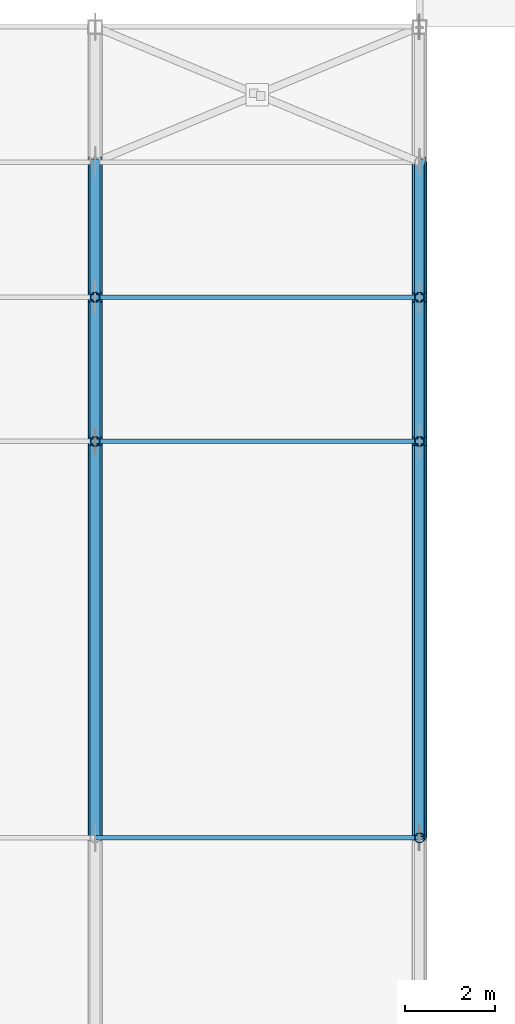
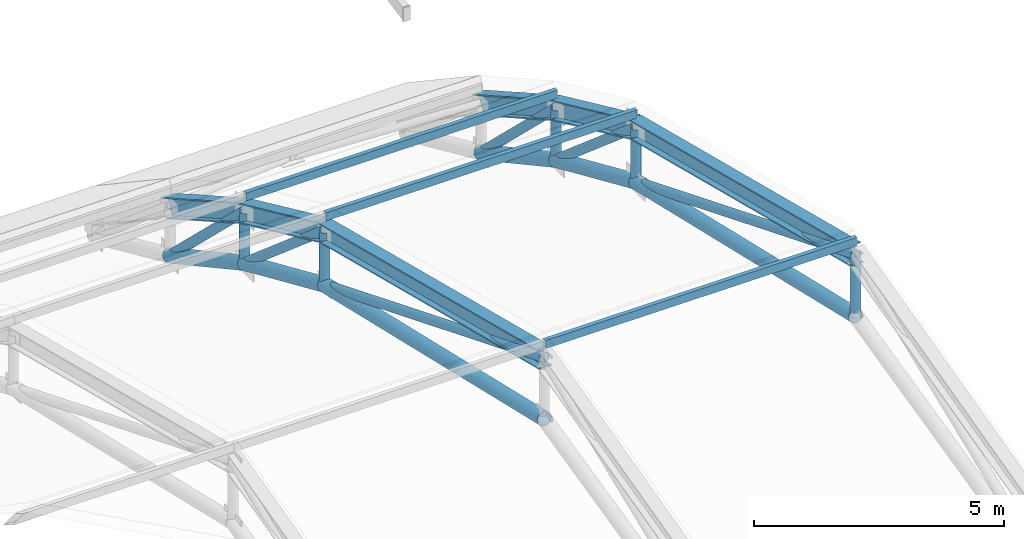
# One storey, part 21 of 63: 20 members, 6 beams.
"""IFC4 building model written with IfcOpenShell, lengths in metres."""

from ifc_helpers import new_model, si_unit, direction, frame, origin, origin_2d, place, context, subcontext, project, spatial, hollow_rectangle, hollow_circle, i_section, extrude, material, material_profile, profile_set, type_object, element, save


model = new_model("IFC4")

# Units and contexts
model_context = context("Model", 3, precision=1e-05, world=origin(), true_north=direction((0.0, 1.0)))
body_context = subcontext(model_context, "Body", "Model", "MODEL_VIEW")
ifc_project = project(units=[si_unit("LENGTHUNIT", "METRE"), si_unit("AREAUNIT", "SQUARE_METRE"), si_unit("VOLUMEUNIT", "CUBIC_METRE"), si_unit("PLANEANGLEUNIT", "RADIAN"), si_unit("MASSUNIT", "GRAM", prefix="KILO")], contexts=[model_context])

# Site, building, storey
site_placement = place(None, origin())
site = spatial("IfcSite", under=ifc_project, at=site_placement, CompositionType="ELEMENT")
building_placement = place(site_placement, origin())
building = spatial("IfcBuilding", under=site, at=building_placement, Name="Solvadek Multi-Sports Hall", CompositionType="ELEMENT")
storey_placement = place(building_placement, frame((0.0, 0.0, 19.199951171875)))
storey = spatial("IfcBuildingStorey", under=building, at=storey_placement, Name="RF", CompositionType="ELEMENT", Elevation=19.199951171875)

# Members
ifc_material_1 = material(Name="Steel E350 (350 MPa)", Category="steel")
ifc_material_profile_1 = material_profile(ifc_material_1, hollow_circle(Radius=0.109619140625, WallThickness=0.010009765625, at=origin_2d()), Name="CHS 219.1x10")
ifc_profile_set_1 = profile_set([ifc_material_profile_1], Name="Steel E350 (350 MPa)")
member_type_1 = type_object("IfcMemberType", Name="STR-BRC-CHS219", PredefinedType="BRACE", material=ifc_profile_set_1)
member_1_placement = place(storey_placement, frame((129.60009765625, 24.0, 3.85009765625), z_axis=(0.0, 0.927015158586, -0.375023860244), x_axis=(-1.0, 0.0, 0.0)))
element("IfcMember", 1, at=member_1_placement, inside=storey, type_object=member_type_1, Name="v1 Truss 7 Web Diagonal 5", PredefinedType="BRACE", context=body_context, shape_type="SweptSolid", body=[
    extrude(hollow_circle(Radius=0.109619140625, WallThickness=0.010009765625, at=origin_2d()), origin(), (0.0, 0.0, 1.0), 9.492919921875),
])
member_2_placement = place(storey_placement, frame((129.60009765625, 32.800048828125, 0.2900390625), z_axis=(0.0, 0.0, 1.0), x_axis=(1.0, 0.0, 0.0)))
element("IfcMember", 2, at=member_2_placement, inside=storey, type_object=member_type_1, Name="v1 Truss 7 Web Vertical 5", PredefinedType="BRACE", context=body_context, shape_type="SweptSolid", body=[
    extrude(hollow_circle(Radius=0.109619140625, WallThickness=0.010009765625, at=origin_2d()), origin(), (0.0, 0.0, 1.0), 1.3291015625),
])
member_3_placement = place(storey_placement, frame((129.60009765625, 32.800048828125, 1.619140625), z_axis=(0.0, 0.760074683686, -0.649835729411), x_axis=(-1.0, 0.0, 0.0)))
element("IfcMember", 3, at=member_3_placement, inside=storey, type_object=member_type_1, Name="v1 Truss 7 Web Diagonal 6", PredefinedType="BRACE", context=body_context, shape_type="SweptSolid", body=[
    extrude(hollow_circle(Radius=0.109619140625, WallThickness=0.010009765625, at=origin_2d()), origin(), (0.0, 0.0, 1.0), 4.2099609375),
])
member_4_placement = place(storey_placement, frame((129.60009765625, 36.0, -1.11669921875), z_axis=(0.0, 0.0, 1.0), x_axis=(1.0, 0.0, 0.0)))
element("IfcMember", 4, at=member_4_placement, inside=storey, type_object=member_type_1, Name="v1 Truss 7 Web Vertical 6", PredefinedType="BRACE", context=body_context, shape_type="SweptSolid", body=[
    extrude(hollow_circle(Radius=0.109619140625, WallThickness=0.010009765625, at=origin_2d()), origin(), (0.0, 0.0, 1.0), 1.266845703125),
])
member_5_placement = place(storey_placement, frame((129.60009765625, 36.0, 0.150146484375), z_axis=(0.0, 0.718473942669, -0.695553875487), x_axis=(-1.0, 0.0, 0.0)))
element("IfcMember", 5, at=member_5_placement, inside=storey, type_object=member_type_1, Name="v1 Truss 7 Web Diagonal 7", PredefinedType="BRACE", context=body_context, shape_type="SweptSolid", body=[
    extrude(hollow_circle(Radius=0.109619140625, WallThickness=0.010009765625, at=origin_2d()), origin(), (0.0, 0.0, 1.0), 4.175537109375),
])
member_6_placement = place(storey_placement, frame((136.800048828125, 24.0, 2.35009765625), z_axis=(0.0, 0.0, 1.0), x_axis=(1.0, 0.0, 0.0)))
element("IfcMember", 6, at=member_6_placement, inside=storey, type_object=member_type_1, Name="v1 Truss 8 Web Vertical 4", PredefinedType="BRACE", context=body_context, shape_type="SweptSolid", body=[
    extrude(hollow_circle(Radius=0.109619140625, WallThickness=0.010009765625, at=origin_2d()), origin(), (0.0, 0.0, 1.0), 1.5),
])
member_7_placement = place(storey_placement, frame((136.800048828125, 24.0, 3.85009765625), z_axis=(0.0, 0.927015158586, -0.375023860244), x_axis=(-1.0, 0.0, 0.0)))
element("IfcMember", 7, at=member_7_placement, inside=storey, type_object=member_type_1, Name="v1 Truss 8 Web Diagonal 5", PredefinedType="BRACE", context=body_context, shape_type="SweptSolid", body=[
    extrude(hollow_circle(Radius=0.109619140625, WallThickness=0.010009765625, at=origin_2d()), origin(), (0.0, 0.0, 1.0), 9.492919921875),
])
member_8_placement = place(storey_placement, frame((136.800048828125, 32.800048828125, 0.2900390625), z_axis=(0.0, 0.0, 1.0), x_axis=(1.0, 0.0, 0.0)))
element("IfcMember", 8, at=member_8_placement, inside=storey, type_object=member_type_1, Name="v1 Truss 8 Web Vertical 5", PredefinedType="BRACE", context=body_context, shape_type="SweptSolid", body=[
    extrude(hollow_circle(Radius=0.109619140625, WallThickness=0.010009765625, at=origin_2d()), origin(), (0.0, 0.0, 1.0), 1.3291015625),
])
member_9_placement = place(storey_placement, frame((136.800048828125, 32.800048828125, 1.619140625), z_axis=(0.0, 0.760074683686, -0.649835729411), x_axis=(-1.0, 0.0, 0.0)))
element("IfcMember", 9, at=member_9_placement, inside=storey, type_object=member_type_1, Name="v1 Truss 8 Web Diagonal 6", PredefinedType="BRACE", context=body_context, shape_type="SweptSolid", body=[
    extrude(hollow_circle(Radius=0.109619140625, WallThickness=0.010009765625, at=origin_2d()), origin(), (0.0, 0.0, 1.0), 4.2099609375),
])
member_10_placement = place(storey_placement, frame((136.800048828125, 36.0, -1.11669921875), z_axis=(0.0, 0.0, 1.0), x_axis=(1.0, 0.0, 0.0)))
element("IfcMember", 10, at=member_10_placement, inside=storey, type_object=member_type_1, Name="v1 Truss 8 Web Vertical 6", PredefinedType="BRACE", context=body_context, shape_type="SweptSolid", body=[
    extrude(hollow_circle(Radius=0.109619140625, WallThickness=0.010009765625, at=origin_2d()), origin(), (0.0, 0.0, 1.0), 1.266845703125),
])
member_11_placement = place(storey_placement, frame((136.800048828125, 36.0, 0.150146484375), z_axis=(0.0, 0.718473942669, -0.695553875487), x_axis=(-1.0, 0.0, 0.0)))
element("IfcMember", 11, at=member_11_placement, inside=storey, type_object=member_type_1, Name="v1 Truss 8 Web Diagonal 7", PredefinedType="BRACE", context=body_context, shape_type="SweptSolid", body=[
    extrude(hollow_circle(Radius=0.109619140625, WallThickness=0.010009765625, at=origin_2d()), origin(), (0.0, 0.0, 1.0), 4.175537109375),
])
ifc_material_profile_2 = material_profile(ifc_material_1, hollow_circle(Radius=0.161865234375, WallThickness=0.012451171875, at=origin_2d()), Name="CHS 323.9x12.5")
ifc_profile_set_2 = profile_set([ifc_material_profile_2], Name="Steel E350 (350 MPa)")
member_type_2 = type_object("IfcMemberType", Name="STR-CHD-CHS323", PredefinedType="CHORD", material=ifc_profile_set_2)
member_12_placement = place(storey_placement, frame((129.60009765625, 24.0, 2.35009765625), z_axis=(0.0, 0.973676572462, -0.227934052391), x_axis=(-1.0, 0.0, 0.0)))
element("IfcMember", 12, at=member_12_placement, inside=storey, type_object=member_type_2, Name="v1 Arched Truss 7 Bottom Chord 5", PredefinedType="CHORD", context=body_context, shape_type="SweptSolid", body=[
    extrude(hollow_circle(Radius=0.161865234375, WallThickness=0.012451171875, at=origin_2d()), origin(), (0.0, 0.0, 1.0), 9.037841796875),
])
member_13_placement = place(storey_placement, frame((129.60009765625, 32.800048828125, 0.2900390625), z_axis=(0.0, 0.915445777878, -0.402441334564), x_axis=(-1.0, 0.0, 0.0)))
element("IfcMember", 13, at=member_13_placement, inside=storey, type_object=member_type_2, Name="v1 Arched Truss 7 Bottom Chord 6", PredefinedType="CHORD", context=body_context, shape_type="SweptSolid", body=[
    extrude(hollow_circle(Radius=0.161865234375, WallThickness=0.012451171875, at=origin_2d()), origin(), (0.0, 0.0, 1.0), 3.49560546875),
])
member_14_placement = place(storey_placement, frame((129.60009765625, 36.0, -1.11669921875), z_axis=(0.0, 0.877761773463, -0.479097348195), x_axis=(-1.0, 0.0, 0.0)))
element("IfcMember", 14, at=member_14_placement, inside=storey, type_object=member_type_2, Name="v1 Arched Truss 7 Bottom Chord 7", PredefinedType="CHORD", context=body_context, shape_type="SweptSolid", body=[
    extrude(hollow_circle(Radius=0.161865234375, WallThickness=0.012451171875, at=origin_2d()), origin(), (0.0, 0.0, 1.0), 3.417724609375),
])
member_15_placement = place(storey_placement, frame((136.800048828125, 24.0, 2.35009765625), z_axis=(0.0, 0.973676572462, -0.227934052391), x_axis=(-1.0, 0.0, 0.0)))
element("IfcMember", 15, at=member_15_placement, inside=storey, type_object=member_type_2, Name="v1 Arched Truss 8 Bottom Chord 5", PredefinedType="CHORD", context=body_context, shape_type="SweptSolid", body=[
    extrude(hollow_circle(Radius=0.161865234375, WallThickness=0.012451171875, at=origin_2d()), origin(), (0.0, 0.0, 1.0), 9.037841796875),
])
member_16_placement = place(storey_placement, frame((136.800048828125, 32.800048828125, 0.2900390625), z_axis=(0.0, 0.915445777878, -0.402441334564), x_axis=(-1.0, 0.0, 0.0)))
element("IfcMember", 16, at=member_16_placement, inside=storey, type_object=member_type_2, Name="v1 Arched Truss 8 Bottom Chord 6", PredefinedType="CHORD", context=body_context, shape_type="SweptSolid", body=[
    extrude(hollow_circle(Radius=0.161865234375, WallThickness=0.012451171875, at=origin_2d()), origin(), (0.0, 0.0, 1.0), 3.49560546875),
])
member_17_placement = place(storey_placement, frame((136.800048828125, 36.0, -1.11669921875), z_axis=(0.0, 0.877761773463, -0.479097348195), x_axis=(-1.0, 0.0, 0.0)))
element("IfcMember", 17, at=member_17_placement, inside=storey, type_object=member_type_2, Name="v1 Arched Truss 8 Bottom Chord 7", PredefinedType="CHORD", context=body_context, shape_type="SweptSolid", body=[
    extrude(hollow_circle(Radius=0.161865234375, WallThickness=0.012451171875, at=origin_2d()), origin(), (0.0, 0.0, 1.0), 3.417724609375),
])
ifc_material_2 = material(Name="Steel E250 (250 MPa)", Category="steel")
ifc_material_profile_3 = material_profile(ifc_material_2, hollow_rectangle(XDim=0.10009765625, YDim=0.199951171875, WallThickness=0.008056640625, at=origin_2d()), Name="RHS 200x100x8")
ifc_profile_set_3 = profile_set([ifc_material_profile_3], Name="Steel E250 (250 MPa)")
member_type_3 = type_object("IfcMemberType", Name="STR-PUR-RHS200", PredefinedType="PURLIN", material=ifc_profile_set_3)
for number, where, z_axis, x_axis, name in (
    (18, (129.60009765625, 24.0, 4.18603515625), (1.0, 0.0, 0.0), (0.0, 1.0, 0.0), "V1 Roof Purlin #59"),
    (19, (129.60009765625, 32.800048828125, 1.970703125), (1.0, 0.0, 0.0), (0.0, 1.0, 0.0), "V1 Roof Purlin #60"),
    (20, (129.60009765625, 36.0, 0.512451171875), (1.0, 0.0, 0.0), (0.0, 1.0, 0.0), "V1 Roof Purlin #61"),
):
    element("IfcMember", number, at=place(storey_placement, frame(where, z_axis=z_axis, x_axis=x_axis)), inside=storey, type_object=member_type_3, Name=name, PredefinedType="PURLIN", context=body_context, shape_type="SweptSolid", body=[
        extrude(hollow_rectangle(XDim=0.10009765625, YDim=0.199951171875, WallThickness=0.008056640625, at=origin_2d()), origin(), (0.0, 0.0, 1.0), 7.199951171875),
    ])

# Beams
ifc_material_profile_4 = material_profile(ifc_material_1, i_section(OverallWidth=0.300048828125, OverallDepth=0.449951171875, WebThickness=0.013916015625, FlangeThickness=0.02587890625, at=origin_2d()), Name="WPB 450")
ifc_profile_set_4 = profile_set([ifc_material_profile_4], Name="Steel E350 (350 MPa)")
beam_type = type_object("IfcBeamType", Name="STR-TRS-WPB450", PredefinedType="USERDEFINED", material=ifc_profile_set_4)
beam_1_placement = place(storey_placement, frame((129.60009765625, 24.0, 3.85009765625), z_axis=(0.0, 0.969335170668, -0.245742399488), x_axis=(-1.0, 0.0, 0.0)))
element("IfcBeam", 21, at=beam_1_placement, inside=storey, type_object=beam_type, Name="v1 Arched Truss 7 Top Chord 5", ObjectType="ROOF TRUSS", PredefinedType="USERDEFINED", context=body_context, shape_type="SweptSolid", body=[
    extrude(i_section(OverallWidth=0.300048828125, OverallDepth=0.449951171875, WebThickness=0.013916015625, FlangeThickness=0.02587890625, at=origin_2d()), origin(), (0.0, 0.0, 1.0), 9.078369140625),
])
beam_2_placement = place(storey_placement, frame((129.60009765625, 32.800048828125, 1.619140625), z_axis=(0.0, 0.908811875669, -0.417206153651), x_axis=(-1.0, 0.0, 0.0)))
element("IfcBeam", 22, at=beam_2_placement, inside=storey, type_object=beam_type, Name="v1 Arched Truss 7 Top Chord 6", ObjectType="ROOF TRUSS", PredefinedType="USERDEFINED", context=body_context, shape_type="SweptSolid", body=[
    extrude(i_section(OverallWidth=0.300048828125, OverallDepth=0.449951171875, WebThickness=0.013916015625, FlangeThickness=0.02587890625, at=origin_2d()), origin(), (0.0, 0.0, 1.0), 3.52099609375),
])
beam_3_placement = place(storey_placement, frame((129.60009765625, 36.0, 0.150146484375), z_axis=(0.0, 0.870544365607, -0.492089938436), x_axis=(-1.0, 0.0, 0.0)))
element("IfcBeam", 23, at=beam_3_placement, inside=storey, type_object=beam_type, Name="v1 Arched Truss 7 Top Chord 7", ObjectType="ROOF TRUSS", PredefinedType="USERDEFINED", context=body_context, shape_type="SweptSolid", body=[
    extrude(i_section(OverallWidth=0.300048828125, OverallDepth=0.449951171875, WebThickness=0.013916015625, FlangeThickness=0.02587890625, at=origin_2d()), origin(), (0.0, 0.0, 1.0), 3.446044921875),
])
beam_4_placement = place(storey_placement, frame((136.800048828125, 24.0, 3.85009765625), z_axis=(0.0, 0.969335170668, -0.245742399488), x_axis=(-1.0, 0.0, 0.0)))
element("IfcBeam", 24, at=beam_4_placement, inside=storey, type_object=beam_type, Name="v1 Arched Truss 8 Top Chord 5", ObjectType="ROOF TRUSS", PredefinedType="USERDEFINED", context=body_context, shape_type="SweptSolid", body=[
    extrude(i_section(OverallWidth=0.300048828125, OverallDepth=0.449951171875, WebThickness=0.013916015625, FlangeThickness=0.02587890625, at=origin_2d()), origin(), (0.0, 0.0, 1.0), 9.078369140625),
])
beam_5_placement = place(storey_placement, frame((136.800048828125, 32.800048828125, 1.619140625), z_axis=(0.0, 0.908811875669, -0.417206153651), x_axis=(-1.0, 0.0, 0.0)))
element("IfcBeam", 25, at=beam_5_placement, inside=storey, type_object=beam_type, Name="v1 Arched Truss 8 Top Chord 6", ObjectType="ROOF TRUSS", PredefinedType="USERDEFINED", context=body_context, shape_type="SweptSolid", body=[
    extrude(i_section(OverallWidth=0.300048828125, OverallDepth=0.449951171875, WebThickness=0.013916015625, FlangeThickness=0.02587890625, at=origin_2d()), origin(), (0.0, 0.0, 1.0), 3.52099609375),
])
beam_6_placement = place(storey_placement, frame((136.800048828125, 36.0, 0.150146484375), z_axis=(0.0, 0.870544365607, -0.492089938436), x_axis=(-1.0, 0.0, 0.0)))
element("IfcBeam", 26, at=beam_6_placement, inside=storey, type_object=beam_type, Name="v1 Arched Truss 8 Top Chord 7", ObjectType="ROOF TRUSS", PredefinedType="USERDEFINED", context=body_context, shape_type="SweptSolid", body=[
    extrude(i_section(OverallWidth=0.300048828125, OverallDepth=0.449951171875, WebThickness=0.013916015625, FlangeThickness=0.02587890625, at=origin_2d()), origin(), (0.0, 0.0, 1.0), 3.446044921875),
])

save(model, "model.ifc")
